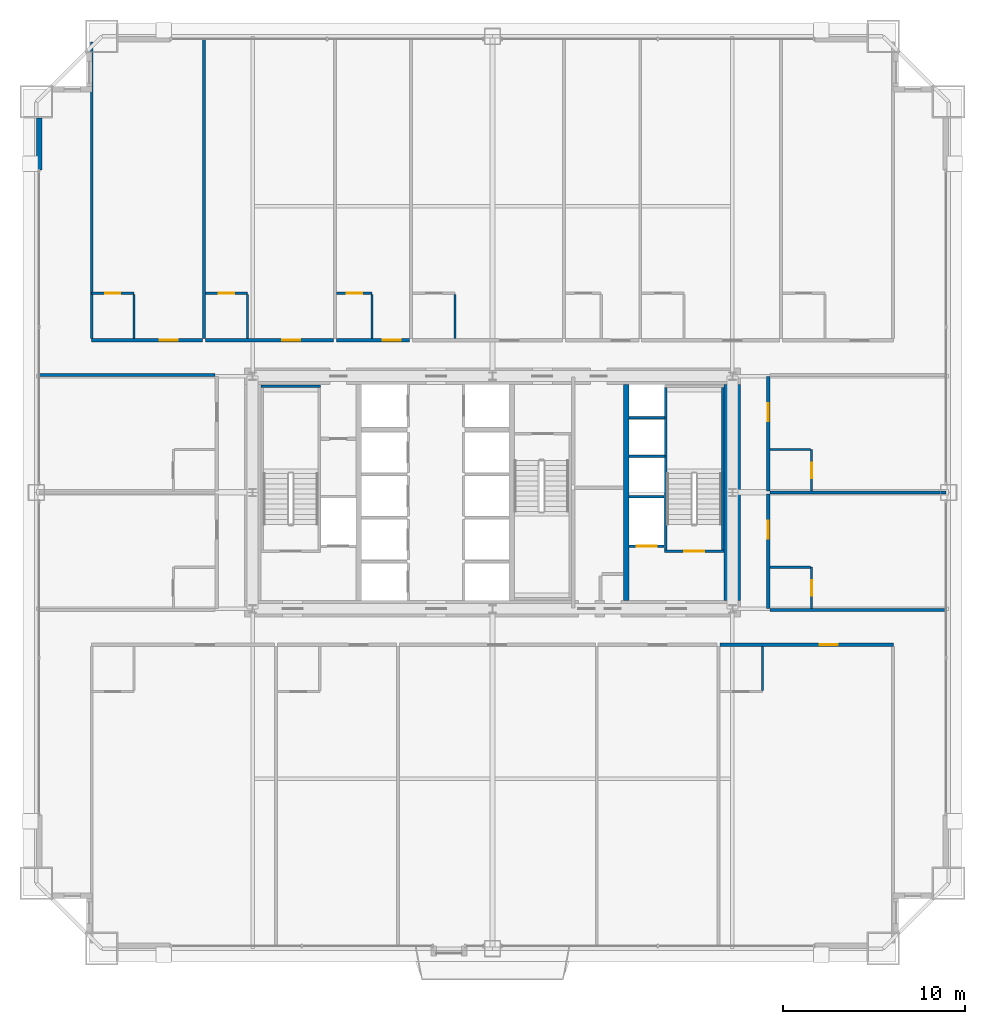
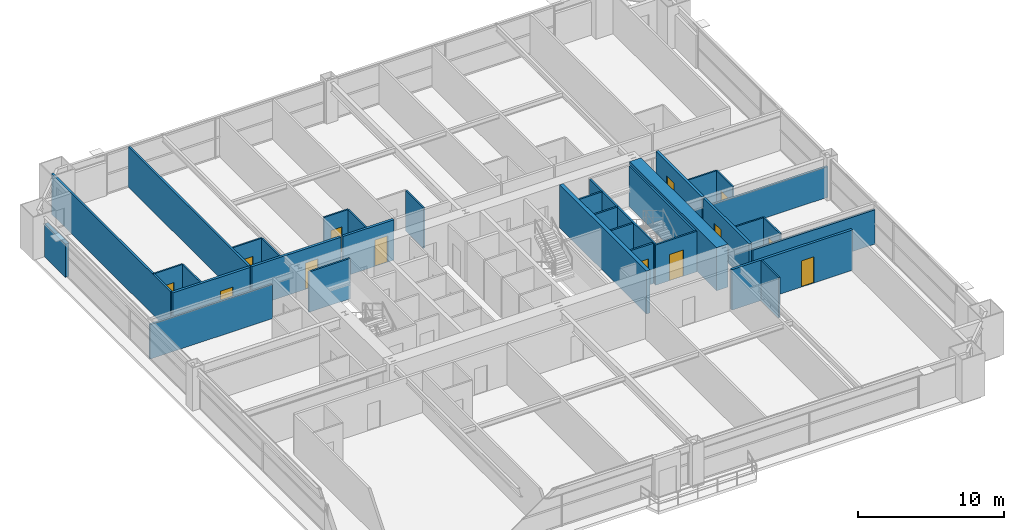
# One storey, part 42 of 45: 34 walls, 13 doors, 13 openings.
"""IFC4 building model written with IfcOpenShell, lengths in metres."""

from ifc_helpers import new_model, si_unit, direction, frame, frame_2d, origin, place, context, subcontext, project, spatial, rectangle, extrude, source, transform, mapped, material, layer, layer_set, type_object, element, fill, save


model = new_model("IFC4")

# Units and contexts
model_context = context("Model", 3, precision=1e-05, world=origin(), true_north=direction((0.0, 1.0)))
body_context = subcontext(model_context, "Body", "Model", "MODEL_VIEW")
ifc_project = project(units=[si_unit("LENGTHUNIT", "METRE"), si_unit("AREAUNIT", "SQUARE_METRE"), si_unit("VOLUMEUNIT", "CUBIC_METRE"), si_unit("PLANEANGLEUNIT", "RADIAN"), si_unit("MASSUNIT", "GRAM", prefix="KILO"), si_unit("THERMODYNAMICTEMPERATUREUNIT", "KELVIN"), si_unit("POWERUNIT", "WATT")], contexts=[model_context])

# Site, building, storey
site_placement = place(None, origin())
site = spatial("IfcSite", under=ifc_project, at=site_placement, CompositionType="ELEMENT")
building_placement = place(site_placement, origin())
building = spatial("IfcBuilding", under=site, at=building_placement, Name="Yuzanri Waterfront Tower", CompositionType="ELEMENT")
storey_placement = place(building_placement, frame((0.0, 0.0, 49.60009765625)))
storey = spatial("IfcBuildingStorey", under=building, at=storey_placement, Name="L12", CompositionType="ELEMENT", Elevation=49.60009765625)

# Wall, opening, door
ifc_material_1 = material(Name="Moisture-Resistant Gypsum Stud Wall", Category="gypsum")
ifc_layer_1 = layer(ifc_material_1, 0.1201171875)
ifc_layer_set_1 = layer_set([ifc_layer_1], Name="Moisture-Resistant Gypsum Stud Wall")
wall_type_1 = type_object("IfcWallType", Name="Bathroom and Kitchen Wet Partition 120", PredefinedType="PARTITIONING", material=ifc_layer_set_1)
wall_1_placement = place(storey_placement, frame((14.93994140625, 36.760009765625, 0.0), z_axis=(0.0, 0.0, 1.0), x_axis=(1.0, 0.0, 0.0)))
wall_1 = element("IfcWall", 1, at=wall_1_placement, inside=storey, type_object=wall_type_1, Name="L12 Partition UW-L12-N1-BN", PredefinedType="PARTITIONING", context=body_context, shape_type="SweptSolid", body=[
    extrude(rectangle(XDim=2.330078125, YDim=0.1201171875, at=frame_2d((1.1650390625, 0.0))), origin(), (0.0, 0.0, 1.0), 3.3798828125),
])
opening_1_placement = place(wall_1_placement, frame((0.739990234375, 0.0, 0.0)))
opening_1 = element("IfcOpeningElement", 2, at=opening_1_placement, cuts=wall_1, Name="Opening ID-0850", PredefinedType="OPENING", context=body_context, shape_type="SweptSolid", body=[
    extrude(rectangle(XDim=0.85009765625, YDim=2.10009765625, at=frame_2d((0.425048828125, 1.050048828125))), frame((0.0, 0.074951171875, 0.0), z_axis=(0.0, -1.0, 0.0), x_axis=(1.0, 0.0, 0.0)), (0.0, 0.0, 1.0), 0.14990234375),
])
ifc_material_2 = material(Name="Moisture-Resistant Lacquered Timber", Category="wood")
door_type_1 = type_object("IfcDoorType", Name="En-Suite Bathroom and Kitchen Swing Door 850x2100", OperationType="NOTDEFINED", PredefinedType="DOOR", material=ifc_material_2)
shared_shape_1 = source(origin(), body_context, "Body", "SweptSolid", [
    extrude(rectangle(XDim=0.85009765625, YDim=2.10009765625, at=frame_2d((0.425048828125, 1.050048828125))), frame((0.0, 0.02490234375, 0.0), z_axis=(0.0, -1.0, 0.0), x_axis=(1.0, 0.0, 0.0)), (0.0, 0.0, 1.0), 0.050048828125),
])
door_1_placement = place(opening_1_placement, origin())
door_1 = element("IfcDoor", 3, at=door_1_placement, inside=storey, type_object=door_type_1, Name="L12 Guest En-Suite Door", OperationType="SINGLE_SWING_RIGHT", OverallHeight=2.10009765625, OverallWidth=0.85009765625, PredefinedType="DOOR", context=body_context, shape_type="MappedRepresentation", body=[
    mapped(shared_shape_1, transform((0.0, 0.0, 0.0), scale=1.0)),
])
fill(opening_1, door_1)

wall_2_placement = place(storey_placement, frame((21.197021484375, 36.760009765625, 0.0), z_axis=(0.0, 0.0, 1.0), x_axis=(1.0, 0.0, 0.0)))
wall_2 = element("IfcWall", 4, at=wall_2_placement, inside=storey, type_object=wall_type_1, Name="L12 Partition UW-L12-N2-BN", PredefinedType="PARTITIONING", context=body_context, shape_type="SweptSolid", body=[
    extrude(rectangle(XDim=2.330078125, YDim=0.1201171875, at=frame_2d((1.1650390625, 0.0))), origin(), (0.0, 0.0, 1.0), 3.3798828125),
])
opening_2_placement = place(wall_2_placement, frame((0.739990234375, 0.0, 0.0)))
opening_2 = element("IfcOpeningElement", 5, at=opening_2_placement, cuts=wall_2, Name="Opening ID-0850", PredefinedType="OPENING", context=body_context, shape_type="SweptSolid", body=[
    extrude(rectangle(XDim=0.85009765625, YDim=2.10009765625, at=frame_2d((0.425048828125, 1.050048828125))), frame((0.0, 0.074951171875, 0.0), z_axis=(0.0, -1.0, 0.0), x_axis=(1.0, 0.0, 0.0)), (0.0, 0.0, 1.0), 0.14990234375),
])
door_2_placement = place(opening_2_placement, origin())
door_2 = element("IfcDoor", 6, at=door_2_placement, inside=storey, type_object=door_type_1, Name="L12 Guest En-Suite Door", OperationType="SINGLE_SWING_RIGHT", OverallHeight=2.10009765625, OverallWidth=0.85009765625, PredefinedType="DOOR", context=body_context, shape_type="MappedRepresentation", body=[
    mapped(shared_shape_1, transform((0.0, 0.0, 0.0), scale=1.0)),
])
fill(opening_2, door_2)

wall_3_placement = place(storey_placement, frame((28.419921875, 36.760009765625, 0.0), z_axis=(0.0, 0.0, 1.0), x_axis=(1.0, 0.0, 0.0)))
wall_3 = element("IfcWall", 7, at=wall_3_placement, inside=storey, type_object=wall_type_1, Name="L12 Partition UW-L12-N3-BN", PredefinedType="PARTITIONING", context=body_context, shape_type="SweptSolid", body=[
    extrude(rectangle(XDim=1.955078125, YDim=0.1201171875, at=frame_2d((0.9775390625, 0.0))), origin(), (0.0, 0.0, 1.0), 3.3798828125),
])
opening_3_placement = place(wall_3_placement, frame((0.552490234375, 0.0, 0.0)))
opening_3 = element("IfcOpeningElement", 8, at=opening_3_placement, cuts=wall_3, Name="Opening ID-0850", PredefinedType="OPENING", context=body_context, shape_type="SweptSolid", body=[
    extrude(rectangle(XDim=0.85009765625, YDim=2.10009765625, at=frame_2d((0.425048828125, 1.050048828125))), frame((0.0, 0.074951171875, 0.0), z_axis=(0.0, -1.0, 0.0), x_axis=(1.0, 0.0, 0.0)), (0.0, 0.0, 1.0), 0.14990234375),
])
door_3_placement = place(opening_3_placement, origin())
door_3 = element("IfcDoor", 9, at=door_3_placement, inside=storey, type_object=door_type_1, Name="L12 Guest En-Suite Door", OperationType="SINGLE_SWING_RIGHT", OverallHeight=2.10009765625, OverallWidth=0.85009765625, PredefinedType="DOOR", context=body_context, shape_type="MappedRepresentation", body=[
    mapped(shared_shape_1, transform((0.0, 0.0, 0.0), scale=1.0)),
])
fill(opening_3, door_3)

wall_4_placement = place(storey_placement, frame((54.56005859375, 19.409912109375, 0.0), z_axis=(0.0, 0.0, 1.0), x_axis=(0.0, 1.0, 0.0)))
wall_4 = element("IfcWall", 10, at=wall_4_placement, inside=storey, type_object=wall_type_1, Name="L12 Partition UW-L12-E1-BE2", PredefinedType="PARTITIONING", context=body_context, shape_type="SweptSolid", body=[
    extrude(rectangle(XDim=2.280029296875, YDim=0.1201171875, at=frame_2d((1.14013671875, 0.0))), origin(), (0.0, 0.0, 1.0), 3.3798828125),
])
opening_4_placement = place(wall_4_placement, frame((0.715087890625, 0.0, 0.0)))
opening_4 = element("IfcOpeningElement", 11, at=opening_4_placement, cuts=wall_4, Name="Opening ID-0850", PredefinedType="OPENING", context=body_context, shape_type="SweptSolid", body=[
    extrude(rectangle(XDim=0.85009765625, YDim=2.10009765625, at=frame_2d((0.425048828125, 1.050048828125))), frame((0.0, 0.074951171875, 0.0), z_axis=(0.0, -1.0, 0.0), x_axis=(1.0, 0.0, 0.0)), (0.0, 0.0, 1.0), 0.14990234375),
])
door_4_placement = place(opening_4_placement, origin())
door_4 = element("IfcDoor", 12, at=door_4_placement, inside=storey, type_object=door_type_1, Name="L12 Guest En-Suite Door", OperationType="SINGLE_SWING_RIGHT", OverallHeight=2.10009765625, OverallWidth=0.85009765625, PredefinedType="DOOR", context=body_context, shape_type="MappedRepresentation", body=[
    mapped(shared_shape_1, transform((0.0, 0.0, 0.0), scale=1.0)),
])
fill(opening_4, door_4)

wall_5_placement = place(storey_placement, frame((54.56005859375, 25.8798828125, 0.0), z_axis=(0.0, 0.0, 1.0), x_axis=(0.0, 1.0, 0.0)))
wall_5 = element("IfcWall", 13, at=wall_5_placement, inside=storey, type_object=wall_type_1, Name="L12 Partition UW-L12-E2-BE2", PredefinedType="PARTITIONING", context=body_context, shape_type="SweptSolid", body=[
    extrude(rectangle(XDim=2.280029296875, YDim=0.1201171875, at=frame_2d((1.14013671875, 0.0))), origin(), (0.0, 0.0, 1.0), 3.3798828125),
])
opening_5_placement = place(wall_5_placement, frame((0.715087890625, 0.0, 0.0)))
opening_5 = element("IfcOpeningElement", 14, at=opening_5_placement, cuts=wall_5, Name="Opening ID-0850", PredefinedType="OPENING", context=body_context, shape_type="SweptSolid", body=[
    extrude(rectangle(XDim=0.85009765625, YDim=2.10009765625, at=frame_2d((0.425048828125, 1.050048828125))), frame((0.0, 0.074951171875, 0.0), z_axis=(0.0, -1.0, 0.0), x_axis=(1.0, 0.0, 0.0)), (0.0, 0.0, 1.0), 0.14990234375),
])
door_5_placement = place(opening_5_placement, origin())
door_5 = element("IfcDoor", 15, at=door_5_placement, inside=storey, type_object=door_type_1, Name="L12 Guest En-Suite Door", OperationType="SINGLE_SWING_RIGHT", OverallHeight=2.10009765625, OverallWidth=0.85009765625, PredefinedType="DOOR", context=body_context, shape_type="MappedRepresentation", body=[
    mapped(shared_shape_1, transform((0.0, 0.0, 0.0), scale=1.0)),
])
fill(opening_5, door_5)

ifc_material_3 = material(Name="Concrete C40", Category="concrete")
ifc_layer_2 = layer(ifc_material_3, 0.139892578125)
ifc_layer_set_2 = layer_set([ifc_layer_2], Name="Concrete C40")
wall_type_2 = type_object("IfcWallType", Name="Core Stair Liner and Hoistway Shaft Wall 140", PredefinedType="SOLIDWALL", material=ifc_layer_set_2)
wall_6_placement = place(storey_placement, frame((44.52001953125, 22.830078125, 0.0), z_axis=(0.0, 0.0, 1.0), x_axis=(1.0, 0.0, 0.0)))
wall_6 = element("IfcWall", 16, at=wall_6_placement, inside=storey, type_object=wall_type_2, Name="L12 Lift FL-02 Front Shaft Wall", PredefinedType="SOLIDWALL", context=body_context, shape_type="SweptSolid", body=[
    extrude(rectangle(XDim=1.919921875, YDim=0.139892578125, at=frame_2d((0.9599609375, 0.0))), origin(), (0.0, 0.0, 1.0), 3.3798828125),
])
opening_6_placement = place(wall_6_placement, frame((0.409912109375, 0.0, 0.0)))
opening_6 = element("IfcOpeningElement", 17, at=opening_6_placement, cuts=wall_6, Name="Opening LD-FL-02", PredefinedType="OPENING", context=body_context, shape_type="SweptSolid", body=[
    extrude(rectangle(XDim=1.10009765625, YDim=2.199951171875, at=frame_2d((0.550048828125, 1.10009765625))), frame((0.0, 0.0849609375, 0.0), z_axis=(0.0, -1.0, 0.0), x_axis=(1.0, 0.0, 0.0)), (0.0, 0.0, 1.0), 0.169677734375),
])
ifc_material_4 = material(Name="Brushed Bronze and Stainless Steel Cab", Category="steel")
door_type_2 = type_object("IfcDoorType", Name="Center-Parting Bronze Lift Landing Sliding Door 1100x2200", OperationType="NOTDEFINED", PredefinedType="DOOR", material=ifc_material_4)
shared_shape_2 = source(origin(), body_context, "Body", "SweptSolid", [
    extrude(rectangle(XDim=1.10009765625, YDim=2.199951171875, at=frame_2d((0.550048828125, 1.10009765625))), frame((0.0, 0.02490234375, 0.0), z_axis=(0.0, -1.0, 0.0), x_axis=(1.0, 0.0, 0.0)), (0.0, 0.0, 1.0), 0.050048828125),
])
door_6_placement = place(opening_6_placement, origin())
door_6 = element("IfcDoor", 18, at=door_6_placement, inside=storey, type_object=door_type_2, Name="L12 FL-02 Lift Landing Sliding Door", OperationType="SLIDING_TO_RIGHT", OverallHeight=2.199951171875, OverallWidth=1.10009765625, PredefinedType="DOOR", context=body_context, shape_type="MappedRepresentation", body=[
    mapped(shared_shape_2, transform((0.0, 0.0, 0.0), scale=1.0)),
])
fill(opening_6, door_6)

wall_7_placement = place(storey_placement, frame((46.4599609375, 22.570068359375, 0.0), z_axis=(0.0, 0.0, 1.0), x_axis=(1.0, 0.0, 0.0)))
wall_7 = element("IfcWall", 19, at=wall_7_placement, inside=storey, type_object=wall_type_2, Name="L12 Shaft Wall STW-L12-ST-02-S", PredefinedType="SOLIDWALL", context=body_context, shape_type="SweptSolid", body=[
    extrude(rectangle(XDim=3.280029296875, YDim=0.139892578125, at=frame_2d((1.64013671875, 0.0))), origin(), (0.0, 0.0, 1.0), 3.3798828125),
])
opening_7_placement = place(wall_7_placement, frame((1.090087890625, 0.0, 0.0)))
opening_7 = element("IfcOpeningElement", 20, at=opening_7_placement, cuts=wall_7, Name="Opening FD-1100", PredefinedType="OPENING", context=body_context, shape_type="SweptSolid", body=[
    extrude(rectangle(XDim=1.10009765625, YDim=2.199951171875, at=frame_2d((0.550048828125, 1.10009765625))), frame((0.0, 0.0849609375, 0.0), z_axis=(0.0, -1.0, 0.0), x_axis=(1.0, 0.0, 0.0)), (0.0, 0.0, 1.0), 0.169677734375),
])
ifc_material_5 = material(Name="Painted Galvanized Fire Steel", Category="steel")
door_type_3 = type_object("IfcDoorType", Name="Smoke-Proof Stair and Lobby Fire Door 1100x2200", OperationType="NOTDEFINED", PredefinedType="DOOR", material=ifc_material_5)
shared_shape_3 = source(origin(), body_context, "Body", "SweptSolid", [
    extrude(rectangle(XDim=1.10009765625, YDim=2.199951171875, at=frame_2d((0.550048828125, 1.10009765625))), frame((0.0, 0.02490234375, 0.0), z_axis=(0.0, -1.0, 0.0), x_axis=(1.0, 0.0, 0.0)), (0.0, 0.0, 1.0), 0.050048828125),
])
door_7_placement = place(opening_7_placement, origin())
door_7 = element("IfcDoor", 21, at=door_7_placement, inside=storey, type_object=door_type_3, Name="L12 Stair ST-02 Fire Door", OperationType="SINGLE_SWING_LEFT", OverallHeight=2.199951171875, OverallWidth=1.10009765625, PredefinedType="DOOR", context=body_context, shape_type="MappedRepresentation", body=[
    mapped(shared_shape_3, transform((0.0, 0.0, 0.0), scale=1.0)),
])
fill(opening_7, door_7)

ifc_material_6 = material(Name="Autoclaved Aerated Concrete Blockwork", Category="masonry")
ifc_layer_3 = layer(ifc_material_6, 0.199951171875)
ifc_layer_set_3 = layer_set([ifc_layer_3], Name="Autoclaved Aerated Concrete Blockwork")
wall_type_3 = type_object("IfcWallType", Name="Corridor and Unit Party Fire Wall 200", PredefinedType="PARTITIONING", material=ifc_layer_set_3)
wall_8_placement = place(storey_placement, frame((49.52197265625, 17.419921875, 0.0), z_axis=(0.0, 0.0, 1.0), x_axis=(1.0, 0.0, 0.0)))
wall_8 = element("IfcWall", 22, at=wall_8_placement, inside=storey, type_object=wall_type_3, Name="L12 Partition UW-L12-S5-CN", PredefinedType="PARTITIONING", context=body_context, shape_type="SweptSolid", body=[
    extrude(rectangle(XDim=9.5380859375, YDim=0.199951171875, at=frame_2d((4.76904296875, 0.0))), origin(), (0.0, 0.0, 1.0), 3.3798828125),
])
opening_8_placement = place(wall_8_placement, frame((5.47412109375, 0.0, 0.0)))
opening_8 = element("IfcOpeningElement", 23, at=opening_8_placement, cuts=wall_8, Name="Opening FD-1000", PredefinedType="OPENING", context=body_context, shape_type="SweptSolid", body=[
    extrude(rectangle(XDim=1.0, YDim=2.199951171875, at=frame_2d((0.5, 1.10009765625))), frame((0.0, 0.11474609375, 0.0), z_axis=(0.0, -1.0, 0.0), x_axis=(1.0, 0.0, 0.0)), (0.0, 0.0, 1.0), 0.229736328125),
])
ifc_material_7 = material(Name="Engineered Oak Fire-Rated Timber", Category="wood")
door_type_4 = type_object("IfcDoorType", Name="Guestroom and Apartment Entrance Fire Door 1000x2200", OperationType="NOTDEFINED", PredefinedType="DOOR", material=ifc_material_7)
shared_shape_4 = source(origin(), body_context, "Body", "SweptSolid", [
    extrude(rectangle(XDim=1.0, YDim=2.199951171875, at=frame_2d((0.5, 1.10009765625))), frame((0.0, 0.02490234375, 0.0), z_axis=(0.0, -1.0, 0.0), x_axis=(1.0, 0.0, 0.0)), (0.0, 0.0, 1.0), 0.050048828125),
])
door_8_placement = place(opening_8_placement, origin())
door_8 = element("IfcDoor", 24, at=door_8_placement, inside=storey, type_object=door_type_4, Name="L12 Corner Suite Entrance Door", OperationType="SINGLE_SWING_LEFT", OverallHeight=2.199951171875, OverallWidth=1.0, PredefinedType="DOOR", context=body_context, shape_type="MappedRepresentation", body=[
    mapped(shared_shape_4, transform((0.0, 0.0, 0.0), scale=1.0)),
])
fill(opening_8, door_8)

wall_9_placement = place(storey_placement, frame((14.93994140625, 34.179931640625, 0.0), z_axis=(0.0, 0.0, 1.0), x_axis=(1.0, 0.0, 0.0)))
wall_9 = element("IfcWall", 25, at=wall_9_placement, inside=storey, type_object=wall_type_3, Name="L12 Partition UW-L12-N1-CS", PredefinedType="PARTITIONING", context=body_context, shape_type="SweptSolid", body=[
    extrude(rectangle(XDim=6.09716796875, YDim=0.199951171875, at=frame_2d((3.048583984375, 0.0))), origin(), (0.0, 0.0, 1.0), 3.3798828125),
])
opening_9_placement = place(wall_9_placement, frame((3.75390625, 0.0, 0.0)))
opening_9 = element("IfcOpeningElement", 26, at=opening_9_placement, cuts=wall_9, Name="Opening FD-1000", PredefinedType="OPENING", context=body_context, shape_type="SweptSolid", body=[
    extrude(rectangle(XDim=1.0, YDim=2.199951171875, at=frame_2d((0.5, 1.10009765625))), frame((0.0, 0.11474609375, 0.0), z_axis=(0.0, -1.0, 0.0), x_axis=(1.0, 0.0, 0.0)), (0.0, 0.0, 1.0), 0.229736328125),
])
door_9_placement = place(opening_9_placement, origin())
door_9 = element("IfcDoor", 27, at=door_9_placement, inside=storey, type_object=door_type_4, Name="L12 Superior Twin Junior Suite Entrance Door", OperationType="SINGLE_SWING_LEFT", OverallHeight=2.199951171875, OverallWidth=1.0, PredefinedType="DOOR", context=body_context, shape_type="MappedRepresentation", body=[
    mapped(shared_shape_4, transform((0.0, 0.0, 0.0), scale=1.0)),
])
fill(opening_9, door_9)

wall_10_placement = place(storey_placement, frame((21.197021484375, 34.179931640625, 0.0), z_axis=(0.0, 0.0, 1.0), x_axis=(1.0, 0.0, 0.0)))
wall_10 = element("IfcWall", 28, at=wall_10_placement, inside=storey, type_object=wall_type_3, Name="L12 Partition UW-L12-N2-CS", PredefinedType="PARTITIONING", context=body_context, shape_type="SweptSolid", body=[
    extrude(rectangle(XDim=7.06298828125, YDim=0.199951171875, at=frame_2d((3.531494140625, 0.0))), origin(), (0.0, 0.0, 1.0), 3.3798828125),
])
opening_10_placement = place(wall_10_placement, frame((4.237060546875, 0.0, 0.0)))
opening_10 = element("IfcOpeningElement", 29, at=opening_10_placement, cuts=wall_10, Name="Opening FD-1000", PredefinedType="OPENING", context=body_context, shape_type="SweptSolid", body=[
    extrude(rectangle(XDim=1.0, YDim=2.199951171875, at=frame_2d((0.5, 1.10009765625))), frame((0.0, 0.11474609375, 0.0), z_axis=(0.0, -1.0, 0.0), x_axis=(1.0, 0.0, 0.0)), (0.0, 0.0, 1.0), 0.229736328125),
])
door_10_placement = place(opening_10_placement, origin())
door_10 = element("IfcDoor", 30, at=door_10_placement, inside=storey, type_object=door_type_4, Name="L12 Superior Twin Junior Suite Entrance Door", OperationType="SINGLE_SWING_LEFT", OverallHeight=2.199951171875, OverallWidth=1.0, PredefinedType="DOOR", context=body_context, shape_type="MappedRepresentation", body=[
    mapped(shared_shape_4, transform((0.0, 0.0, 0.0), scale=1.0)),
])
fill(opening_10, door_10)

wall_11_placement = place(storey_placement, frame((28.419921875, 34.179931640625, 0.0), z_axis=(0.0, 0.0, 1.0), x_axis=(1.0, 0.0, 0.0)))
wall_11 = element("IfcWall", 31, at=wall_11_placement, inside=storey, type_object=wall_type_3, Name="L12 Partition UW-L12-N3-CS", PredefinedType="PARTITIONING", context=body_context, shape_type="SweptSolid", body=[
    extrude(rectangle(XDim=4.025146484375, YDim=0.199951171875, at=frame_2d((2.0126953125, 0.0))), origin(), (0.0, 0.0, 1.0), 3.3798828125),
])
opening_11_placement = place(wall_11_placement, frame((2.530029296875, 0.0, 0.0)))
opening_11 = element("IfcOpeningElement", 32, at=opening_11_placement, cuts=wall_11, Name="Opening FD-1000", PredefinedType="OPENING", context=body_context, shape_type="SweptSolid", body=[
    extrude(rectangle(XDim=1.0, YDim=2.199951171875, at=frame_2d((0.5, 1.10009765625))), frame((0.0, 0.11474609375, 0.0), z_axis=(0.0, -1.0, 0.0), x_axis=(1.0, 0.0, 0.0)), (0.0, 0.0, 1.0), 0.229736328125),
])
door_11_placement = place(opening_11_placement, origin())
door_11 = element("IfcDoor", 33, at=door_11_placement, inside=storey, type_object=door_type_4, Name="L12 Superior Twin Guest Room Entrance Door", OperationType="SINGLE_SWING_LEFT", OverallHeight=2.199951171875, OverallWidth=1.0, PredefinedType="DOOR", context=body_context, shape_type="MappedRepresentation", body=[
    mapped(shared_shape_4, transform((0.0, 0.0, 0.0), scale=1.0)),
])
fill(opening_11, door_11)

wall_12_placement = place(storey_placement, frame((52.179931640625, 19.409912109375, 0.0), z_axis=(0.0, 0.0, 1.0), x_axis=(0.0, 1.0, 0.0)))
wall_12 = element("IfcWall", 34, at=wall_12_placement, inside=storey, type_object=wall_type_3, Name="L12 Partition UW-L12-E1-CW", PredefinedType="PARTITIONING", context=body_context, shape_type="SweptSolid", body=[
    extrude(rectangle(XDim=6.31005859375, YDim=0.199951171875, at=frame_2d((3.155029296875, 0.0))), origin(), (0.0, 0.0, 1.0), 3.3798828125),
])
opening_12_placement = place(wall_12_placement, frame((3.8349609375, 0.0, 0.0)))
opening_12 = element("IfcOpeningElement", 35, at=opening_12_placement, cuts=wall_12, Name="Opening FD-1000", PredefinedType="OPENING", context=body_context, shape_type="SweptSolid", body=[
    extrude(rectangle(XDim=1.0, YDim=2.199951171875, at=frame_2d((0.5, 1.10009765625))), frame((0.0, 0.11474609375, 0.0), z_axis=(0.0, -1.0, 0.0), x_axis=(1.0, 0.0, 0.0)), (0.0, 0.0, 1.0), 0.229736328125),
])
door_12_placement = place(opening_12_placement, origin())
door_12 = element("IfcDoor", 36, at=door_12_placement, inside=storey, type_object=door_type_4, Name="L12 East Suite Entrance Door", OperationType="SINGLE_SWING_LEFT", OverallHeight=2.199951171875, OverallWidth=1.0, PredefinedType="DOOR", context=body_context, shape_type="MappedRepresentation", body=[
    mapped(shared_shape_4, transform((0.0, 0.0, 0.0), scale=1.0)),
])
fill(opening_12, door_12)

wall_13_placement = place(storey_placement, frame((52.179931640625, 25.8798828125, 0.0), z_axis=(0.0, 0.0, 1.0), x_axis=(0.0, 1.0, 0.0)))
wall_13 = element("IfcWall", 37, at=wall_13_placement, inside=storey, type_object=wall_type_3, Name="L12 Partition UW-L12-E2-CW", PredefinedType="PARTITIONING", context=body_context, shape_type="SweptSolid", body=[
    extrude(rectangle(XDim=6.31005859375, YDim=0.199951171875, at=frame_2d((3.155029296875, 0.0))), origin(), (0.0, 0.0, 1.0), 3.3798828125),
])
opening_13_placement = place(wall_13_placement, frame((3.8349609375, 0.0, 0.0)))
opening_13 = element("IfcOpeningElement", 38, at=opening_13_placement, cuts=wall_13, Name="Opening FD-1000", PredefinedType="OPENING", context=body_context, shape_type="SweptSolid", body=[
    extrude(rectangle(XDim=1.0, YDim=2.199951171875, at=frame_2d((0.5, 1.10009765625))), frame((0.0, 0.11474609375, 0.0), z_axis=(0.0, -1.0, 0.0), x_axis=(1.0, 0.0, 0.0)), (0.0, 0.0, 1.0), 0.229736328125),
])
door_13_placement = place(opening_13_placement, origin())
door_13 = element("IfcDoor", 39, at=door_13_placement, inside=storey, type_object=door_type_4, Name="L12 East Suite Entrance Door", OperationType="SINGLE_SWING_LEFT", OverallHeight=2.199951171875, OverallWidth=1.0, PredefinedType="DOOR", context=body_context, shape_type="MappedRepresentation", body=[
    mapped(shared_shape_4, transform((0.0, 0.0, 0.0), scale=1.0)),
])
fill(opening_13, door_13)

# Walls
ifc_material_8 = material(Name="Concrete C60", Category="concrete")
ifc_layer_4 = layer(ifc_material_8, 0.89990234375)
ifc_layer_set_4 = layer_set([ifc_layer_4], Name="Concrete C60")
wall_type_4 = type_object("IfcWallType", Name="Concrete C60 Lower Zone Core Shear Wall 900", PredefinedType="SHEAR", material=ifc_layer_set_4)
shared_shape_5 = source(origin(), body_context, "Body", "SweptSolid", [
    extrude(rectangle(XDim=11.89990234375, YDim=0.89990234375, at=frame_2d((5.949951171875, 0.0))), origin(), (0.0, 0.0, 1.0), 3.599853515625),
])
wall_14_placement = place(storey_placement, frame((50.199951171875, 19.85009765625, 0.0), z_axis=(0.0, 0.0, 1.0), x_axis=(0.0, 1.0, 0.0)))
element("IfcWall", 40, at=wall_14_placement, inside=storey, type_object=wall_type_4, Name="L12 Core East Shear Wall", PredefinedType="SHEAR", context=body_context, shape_type="MappedRepresentation", body=[
    mapped(shared_shape_5, transform((0.0, 0.0, 0.0), scale=1.0)),
])
ifc_material_9 = material(Name="Concrete C50", Category="concrete")
ifc_layer_5 = layer(ifc_material_9, 0.300048828125)
ifc_layer_set_5 = layer_set([ifc_layer_5], Name="Concrete C50")
wall_type_5 = type_object("IfcWallType", Name="Concrete C50 Internal Core Shaft Structural Wall 300", PredefinedType="SOLIDWALL", material=ifc_layer_set_5)
shared_shape_6 = source(origin(), body_context, "Body", "SweptSolid", [
    extrude(rectangle(XDim=11.89990234375, YDim=0.300048828125, at=frame_2d((5.949951171875, 0.0))), origin(), (0.0, 0.0, 1.0), 3.599853515625),
])
wall_15_placement = place(storey_placement, frame((44.35009765625, 19.85009765625, 0.0), z_axis=(0.0, 0.0, 1.0), x_axis=(0.0, 1.0, 0.0)))
element("IfcWall", 41, at=wall_15_placement, inside=storey, type_object=wall_type_5, Name="L12 Core Internal Structural Web Wall 3", PredefinedType="SOLIDWALL", context=body_context, shape_type="MappedRepresentation", body=[
    mapped(shared_shape_6, transform((0.0, 0.0, 0.0), scale=1.0)),
])
ifc_material_10 = material(Name="Honed Chongqing Dark Basalt Stone", Category="masonry")
ifc_layer_6 = layer(ifc_material_10, 0.300048828125)
ifc_layer_set_6 = layer_set([ifc_layer_6], Name="Honed Chongqing Dark Basalt Stone")
wall_type_6 = type_object("IfcWallType", Name="Bronze Rainscreen Insulated Spandrel Portal Wall 300", PredefinedType="SOLIDWALL", material=ifc_layer_set_6)
shared_shape_7 = source(origin(), body_context, "Body", "SweptSolid", [
    extrude(rectangle(XDim=2.849853515625, YDim=0.300048828125, at=frame_2d((1.4248046875, 0.0))), origin(), (0.0, 0.0, 1.0), 2.77490234375),
])
wall_16_placement = place(storey_placement, frame((12.050048828125, 43.550048828125, 0.0), z_axis=(0.0, 0.0, 1.0), x_axis=(0.0, 1.0, 0.0)))
element("IfcWall", 42, at=wall_16_placement, inside=storey, type_object=wall_type_6, Name="L12 W Right Braced Masonry Shoulder", PredefinedType="SOLIDWALL", context=body_context, shape_type="MappedRepresentation", body=[
    mapped(shared_shape_7, transform((0.0, 0.0, 0.0), scale=1.0)),
])
shared_shape_8 = source(origin(), body_context, "Body", "SweptSolid", [
    extrude(rectangle(XDim=1.919921875, YDim=0.139892578125, at=frame_2d((0.9599609375, 0.0))), origin(), (0.0, 0.0, 1.0), 3.3798828125),
])
wall_17_placement = place(storey_placement, frame((44.52001953125, 25.570068359375, 0.0), z_axis=(0.0, 0.0, 1.0), x_axis=(1.0, 0.0, 0.0)))
element("IfcWall", 43, at=wall_17_placement, inside=storey, type_object=wall_type_2, Name="L12 Lift FL-02 Back Shaft Wall", PredefinedType="SOLIDWALL", context=body_context, shape_type="MappedRepresentation", body=[
    mapped(shared_shape_8, transform((0.0, 0.0, 0.0), scale=1.0)),
])
shared_shape_9 = source(origin(), body_context, "Body", "SweptSolid", [
    extrude(rectangle(XDim=2.0, YDim=0.139892578125, at=frame_2d((1.0, 0.0))), origin(), (0.0, 0.0, 1.0), 3.3798828125),
])
for number, where, z_axis, x_axis, name in (
    (44, (44.5, 27.800048828125, 0.0), (0.0, 0.0, 1.0), (1.0, 0.0, 0.0), "L12 Lift PL-09 Divider Wall"),
    (45, (44.5, 29.89990234375, 0.0), (0.0, 0.0, 1.0), (1.0, 0.0, 0.0), "L12 Lift PL-10 Divider Wall"),
):
    element("IfcWall", number, at=place(storey_placement, frame(where, z_axis=z_axis, x_axis=x_axis)), inside=storey, type_object=wall_type_2, Name=name, PredefinedType="SOLIDWALL", context=body_context, shape_type="MappedRepresentation", body=[
        mapped(shared_shape_9, transform((0.0, 0.0, 0.0), scale=1.0)),
    ])
shared_shape_10 = source(origin(), body_context, "Body", "SweptSolid", [
    extrude(rectangle(XDim=3.280029296875, YDim=0.139892578125, at=frame_2d((1.64013671875, 0.0))), origin(), (0.0, 0.0, 1.0), 3.3798828125),
])
wall_18_placement = place(storey_placement, frame((24.260009765625, 31.64990234375, 0.0), z_axis=(0.0, 0.0, 1.0), x_axis=(1.0, 0.0, 0.0)))
element("IfcWall", 46, at=wall_18_placement, inside=storey, type_object=wall_type_2, Name="L12 Stair ST-01 North Shaft Wall", PredefinedType="SOLIDWALL", context=body_context, shape_type="MappedRepresentation", body=[
    mapped(shared_shape_10, transform((0.0, 0.0, 0.0), scale=1.0)),
])
shared_shape_11 = source(origin(), body_context, "Body", "SweptSolid", [
    extrude(rectangle(XDim=8.940185546875, YDim=0.139892578125, at=frame_2d((4.47021484375, 0.0))), origin(), (0.0, 0.0, 1.0), 3.3798828125),
])
for number, where, z_axis, x_axis, name in (
    (47, (46.530029296875, 22.639892578125, 0.0), (0.0, 0.0, 1.0), (0.0, 1.0, 0.0), "L12 Stair ST-02 West Shaft Wall"),
    (48, (49.669921875, 22.639892578125, 0.0), (0.0, 0.0, 1.0), (0.0, 1.0, 0.0), "L12 Stair ST-02 East Shaft Wall"),
):
    element("IfcWall", number, at=place(storey_placement, frame(where, z_axis=z_axis, x_axis=x_axis)), inside=storey, type_object=wall_type_2, Name=name, PredefinedType="SOLIDWALL", context=body_context, shape_type="MappedRepresentation", body=[
        mapped(shared_shape_11, transform((0.0, 0.0, 0.0), scale=1.0)),
    ])
ifc_material_11 = material(Name="Gypsum Fireboard Acoustic Stud Wall", Category="gypsum")
ifc_layer_7 = layer(ifc_material_11, 0.159912109375)
ifc_layer_set_7 = layer_set([ifc_layer_7], Name="Gypsum Fireboard Acoustic Stud Wall")
wall_type_7 = type_object("IfcWallType", Name="Acoustic Suite Demising Partition 160", PredefinedType="PARTITIONING", material=ifc_layer_set_7)
shared_shape_12 = source(origin(), body_context, "Body", "SweptSolid", [
    extrude(rectangle(XDim=16.469970703125, YDim=0.159912109375, at=frame_2d((8.23486328125, 0.0))), origin(), (0.0, 0.0, 1.0), 3.3798828125),
])
wall_19_placement = place(storey_placement, frame((21.116943359375, 34.280029296875, 0.0), z_axis=(0.0, 0.0, 1.0), x_axis=(0.0, 1.0, 0.0)))
element("IfcWall", 49, at=wall_19_placement, inside=storey, type_object=wall_type_7, Name="L12-N1 Party Wall", PredefinedType="PARTITIONING", context=body_context, shape_type="MappedRepresentation", body=[
    mapped(shared_shape_12, transform((0.0, 0.0, 0.0), scale=1.0)),
])
shared_shape_13 = source(origin(), body_context, "Body", "SweptSolid", [
    extrude(rectangle(XDim=2.420166015625, YDim=0.1201171875, at=frame_2d((1.2099609375, 0.0))), origin(), (0.0, 0.0, 1.0), 3.3798828125),
])
wall_20_placement = place(storey_placement, frame((51.85205078125, 14.89990234375, 0.0), z_axis=(0.0, 0.0, 1.0), x_axis=(0.0, 1.0, 0.0)))
element("IfcWall", 50, at=wall_20_placement, inside=storey, type_object=wall_type_1, Name="L12-S5 En-Suite Side Wall", PredefinedType="PARTITIONING", context=body_context, shape_type="MappedRepresentation", body=[
    mapped(shared_shape_13, transform((0.0, 0.0, 0.0), scale=1.0)),
])
shared_shape_14 = source(origin(), body_context, "Body", "SweptSolid", [
    extrude(rectangle(XDim=16.320068359375, YDim=0.159912109375, at=frame_2d((8.16015625, 0.0))), origin(), (0.0, 0.0, 1.0), 3.3798828125),
])
wall_21_placement = place(storey_placement, frame((14.949951171875, 34.280029296875, 0.0), z_axis=(0.0, 0.0, 1.0), x_axis=(0.0, 1.0, 0.0)))
element("IfcWall", 51, at=wall_21_placement, inside=storey, type_object=wall_type_7, Name="L12 North Band West End Wall", PredefinedType="PARTITIONING", context=body_context, shape_type="MappedRepresentation", body=[
    mapped(shared_shape_14, transform((0.0, 0.0, 0.0), scale=1.0)),
])
shared_shape_15 = source(origin(), body_context, "Body", "SweptSolid", [
    extrude(rectangle(XDim=2.419921875, YDim=0.1201171875, at=frame_2d((1.2099609375, 0.0))), origin(), (0.0, 0.0, 1.0), 3.3798828125),
])
for number, where, z_axis, x_axis, name in (
    (52, (17.27001953125, 34.280029296875, 0.0), (0.0, 0.0, 1.0), (0.0, 1.0, 0.0), "L12-N1 En-Suite Side Wall"),
    (53, (23.527099609375, 34.280029296875, 0.0), (0.0, 0.0, 1.0), (0.0, 1.0, 0.0), "L12-N2 En-Suite Side Wall"),
    (54, (30.375, 34.280029296875, 0.0), (0.0, 0.0, 1.0), (0.0, 1.0, 0.0), "L12-N3 En-Suite Side Wall"),
    (55, (34.93505859375, 34.280029296875, 0.0), (0.0, 0.0, 1.0), (0.0, 1.0, 0.0), "L12-N4 En-Suite Side Wall"),
):
    element("IfcWall", number, at=place(storey_placement, frame(where, z_axis=z_axis, x_axis=x_axis)), inside=storey, type_object=wall_type_1, Name=name, PredefinedType="PARTITIONING", context=body_context, shape_type="MappedRepresentation", body=[
        mapped(shared_shape_15, transform((0.0, 0.0, 0.0), scale=1.0)),
    ])
shared_shape_16 = source(origin(), body_context, "Body", "SweptSolid", [
    extrude(rectangle(XDim=9.669921875, YDim=0.159912109375, at=frame_2d((4.8349609375, 0.0))), origin(), (0.0, 0.0, 1.0), 2.574951171875),
])
wall_22_placement = place(storey_placement, frame((52.280029296875, 25.800048828125, 0.0), z_axis=(0.0, 0.0, 1.0), x_axis=(1.0, 0.0, 0.0)))
element("IfcWall", 56, at=wall_22_placement, inside=storey, type_object=wall_type_7, Name="L12-E1 Wing Party Wall", PredefinedType="PARTITIONING", context=body_context, shape_type="MappedRepresentation", body=[
    mapped(shared_shape_16, transform((0.0, 0.0, 0.0), scale=1.0)),
])
shared_shape_17 = source(origin(), body_context, "Body", "SweptSolid", [
    extrude(rectangle(XDim=9.669921875, YDim=0.159912109375, at=frame_2d((4.8349609375, 0.0))), origin(), (0.0, 0.0, 1.0), 2.875),
])
for number, where, z_axis, x_axis, name in (
    (57, (12.050048828125, 32.27001953125, 0.0), (0.0, 0.0, 1.0), (1.0, 0.0, 0.0), "L12-W2 Wing North End Wall"),
    (58, (52.280029296875, 19.330078125, 0.0), (0.0, 0.0, 1.0), (1.0, 0.0, 0.0), "L12-E1 Wing South End Wall"),
):
    element("IfcWall", number, at=place(storey_placement, frame(where, z_axis=z_axis, x_axis=x_axis)), inside=storey, type_object=wall_type_7, Name=name, PredefinedType="PARTITIONING", context=body_context, shape_type="MappedRepresentation", body=[
        mapped(shared_shape_17, transform((0.0, 0.0, 0.0), scale=1.0)),
    ])
shared_shape_18 = source(origin(), body_context, "Body", "SweptSolid", [
    extrude(rectangle(XDim=2.219970703125, YDim=0.1201171875, at=frame_2d((1.10986328125, 0.0))), origin(), (0.0, 0.0, 1.0), 3.3798828125),
])
for number, where, z_axis, x_axis, name in (
    (59, (52.280029296875, 21.68994140625, 0.0), (0.0, 0.0, 1.0), (1.0, 0.0, 0.0), "L12-E1 En-Suite Top Wall"),
    (60, (52.280029296875, 28.159912109375, 0.0), (0.0, 0.0, 1.0), (1.0, 0.0, 0.0), "L12-E2 En-Suite Top Wall"),
):
    element("IfcWall", number, at=place(storey_placement, frame(where, z_axis=z_axis, x_axis=x_axis)), inside=storey, type_object=wall_type_1, Name=name, PredefinedType="PARTITIONING", context=body_context, shape_type="MappedRepresentation", body=[
        mapped(shared_shape_18, transform((0.0, 0.0, 0.0), scale=1.0)),
    ])

save(model, "model.ifc")
